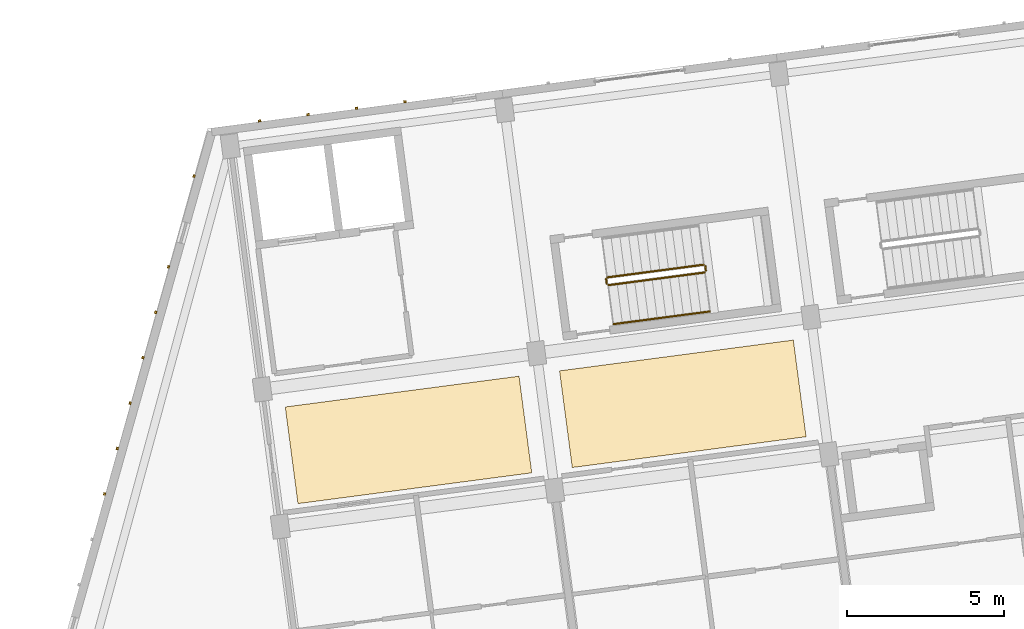
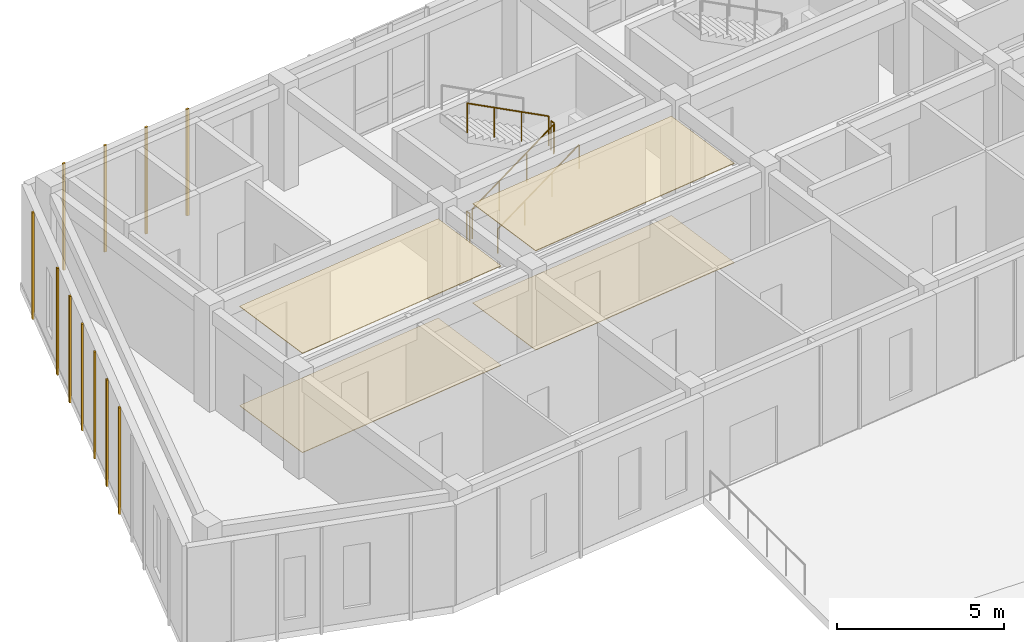
# One storey, part 124 of 150: 15 coverings, 5 railings.
"""IFC4 building model written with IfcOpenShell, lengths in metres."""

from ifc_helpers import new_model, si_unit, direction, frame, origin, origin_2d, place, context, subcontext, project, spatial, polyline, rectangle, circle, outline, extrude, material, layer, layer_set, type_object, element, save


model = new_model("IFC4")

# Units and contexts
model_context = context("Model", 3, precision=1e-05, world=origin(), true_north=direction((0.0, 1.0)))
body_context = subcontext(model_context, "Body", "Model", "MODEL_VIEW")
ifc_project = project(units=[si_unit("LENGTHUNIT", "METRE"), si_unit("AREAUNIT", "SQUARE_METRE"), si_unit("VOLUMEUNIT", "CUBIC_METRE"), si_unit("PLANEANGLEUNIT", "RADIAN"), si_unit("MASSUNIT", "GRAM", prefix="KILO")], contexts=[model_context])

# Site, building, storey
site_placement = place(None, origin())
site = spatial("IfcSite", under=ifc_project, at=site_placement, CompositionType="ELEMENT")
building_placement = place(site_placement, origin())
building = spatial("IfcBuilding", under=site, at=building_placement, Name="Kestramere Prow Commons", CompositionType="ELEMENT")
storey_placement = place(building_placement, frame((0.0, 0.0, 4.5)))
storey = spatial("IfcBuildingStorey", under=building, at=storey_placement, Name="L01", CompositionType="ELEMENT", Elevation=4.5)

# Coverings
ifc_material_1 = material(Name="Mineral Fibre Acoustic Ceiling Tile")
ifc_layer_1 = layer(ifc_material_1, 0.02490234375)
ifc_layer_set_1 = layer_set([ifc_layer_1], Name="Mineral Fibre Acoustic Ceiling Tile")
covering_type_1 = type_object("IfcCoveringType", Name="COV-CEIL-ACOUSTIC", PredefinedType="CEILING", material=ifc_layer_set_1)
covering_1_placement = place(storey_placement, frame((0.0, 0.0, 3.625)))
element("IfcCovering", 1, at=covering_1_placement, inside=storey, type_object=covering_type_1, Name="Block A L01 Corridor Acoustic Ceiling 1", PredefinedType="CEILING", context=body_context, shape_type="SweptSolid", body=[
    extrude(outline(polyline([(10.741455078125, 80.462646484375), (18.17724609375, 81.44140625), (17.772705078125, 84.514892578125), (10.3369140625, 83.5361328125), (10.741455078125, 80.462646484375)])), origin(), (0.0, 0.0, 1.0), 0.02490234375),
])
covering_2_placement = place(storey_placement, frame((0.0, 0.0, 3.625)))
element("IfcCovering", 2, at=covering_2_placement, inside=storey, type_object=covering_type_1, Name="Block A L01 Corridor Acoustic Ceiling 2", PredefinedType="CEILING", context=body_context, shape_type="SweptSolid", body=[
    extrude(outline(polyline([(19.46630859375, 81.611083984375), (26.902099609375, 82.590087890625), (26.497314453125, 85.66357421875), (19.0615234375, 84.6845703125), (19.46630859375, 81.611083984375)])), origin(), (0.0, 0.0, 1.0), 0.02490234375),
])
ifc_material_2 = material(Name="Weathered Zinc-Titanium Standing-Seam Cladding")
ifc_layer_2 = layer(ifc_material_2, 0.074951171875)
ifc_layer_set_2 = layer_set([ifc_layer_2], Name="Weathered Zinc-Titanium Standing-Seam Cladding")
covering_type_2 = type_object("IfcCoveringType", Name="COV-CLAD-SEAM", PredefinedType="CLADDING", material=ifc_layer_set_2)
for number, where, z_axis, x_axis, name in (
    (3, (9.521484375, 92.635009765625, -0.25), (0.0, 0.0, 1.0), (0.991444861374, 0.13052619222, 0.0), "EW-A-L01-N-0 Standing-Seam Rib 1"),
    (4, (11.062255859375, 92.837890625, -0.25), (0.0, 0.0, 1.0), (0.991444861374, 0.13052619222, 0.0), "EW-A-L01-N-0 Standing-Seam Rib 2"),
    (5, (12.603271484375, 93.040771484375, -0.25), (0.0, 0.0, 1.0), (0.991444861374, 0.13052619222, 0.0), "EW-A-L01-N-0 Standing-Seam Rib 3"),
    (6, (14.14404296875, 93.243408203125, -0.25), (0.0, 0.0, 1.0), (0.991444861374, 0.13052619222, 0.0), "EW-A-L01-N-0 Standing-Seam Rib 4"),
    (7, (4.5888671875, 80.7705078125, -0.25), (0.0, 0.0, 1.0), (0.271159911526, 0.962534312314, 0.0), "EW-A-L01-PRW-N Standing-Seam Rib 5"),
    (8, (4.995849609375, 82.21484375, -0.25), (0.0, 0.0, 1.0), (0.271159911526, 0.962534312314, 0.0), "EW-A-L01-PRW-N Standing-Seam Rib 6"),
    (9, (5.40283203125, 83.6591796875, -0.25), (0.0, 0.0, 1.0), (0.271159911526, 0.962534312314, 0.0), "EW-A-L01-PRW-N Standing-Seam Rib 7"),
    (10, (5.8095703125, 85.103271484375, -0.25), (0.0, 0.0, 1.0), (0.271159911526, 0.962534312314, 0.0), "EW-A-L01-PRW-N Standing-Seam Rib 8"),
    (11, (6.216552734375, 86.547607421875, -0.25), (0.0, 0.0, 1.0), (0.271159911526, 0.962534312314, 0.0), "EW-A-L01-PRW-N Standing-Seam Rib 9"),
    (12, (6.623291015625, 87.991943359375, -0.25), (0.0, 0.0, 1.0), (0.271159911526, 0.962534312314, 0.0), "EW-A-L01-PRW-N Standing-Seam Rib 10"),
    (13, (7.437255859375, 90.880615234375, -0.25), (0.0, 0.0, 1.0), (0.271159911526, 0.962534312314, 0.0), "EW-A-L01-PRW-N Standing-Seam Rib 12"),
):
    element("IfcCovering", number, at=place(storey_placement, frame(where, z_axis=z_axis, x_axis=x_axis)), inside=storey, type_object=covering_type_2, Name=name, PredefinedType="CLADDING", context=body_context, shape_type="SweptSolid", body=[
        extrude(rectangle(XDim=0.0849609375, YDim=0.06494140625, at=origin_2d()), origin(), (0.0, 0.0, 1.0), 3.89990234375),
    ])
ifc_material_3 = material(Name="Honed Cementitious Terrazzo Tile")
ifc_layer_3 = layer(ifc_material_3, 0.02001953125)
ifc_layer_set_3 = layer_set([ifc_layer_3], Name="Honed Cementitious Terrazzo Tile")
covering_type_3 = type_object("IfcCoveringType", Name="COV-FLOOR-TERRAZZO", PredefinedType="FLOORING", material=ifc_layer_set_3)
covering_3_placement = place(storey_placement, origin())
element("IfcCovering", 14, at=covering_3_placement, inside=storey, type_object=covering_type_3, Name="Block A L01 Corridor Terrazzo Flooring 1", PredefinedType="FLOORING", context=body_context, shape_type="SweptSolid", body=[
    extrude(outline(polyline([(10.741455078125, 80.462646484375), (18.17724609375, 81.44140625), (17.772705078125, 84.514892578125), (10.3369140625, 83.5361328125), (10.741455078125, 80.462646484375)])), origin(), (0.0, 0.0, 1.0), 0.02001953125),
])
covering_4_placement = place(storey_placement, origin())
element("IfcCovering", 15, at=covering_4_placement, inside=storey, type_object=covering_type_3, Name="Block A L01 Corridor Terrazzo Flooring 2", PredefinedType="FLOORING", context=body_context, shape_type="SweptSolid", body=[
    extrude(outline(polyline([(19.46630859375, 81.611083984375), (26.902099609375, 82.590087890625), (26.497314453125, 85.66357421875), (19.0615234375, 84.6845703125), (19.46630859375, 81.611083984375)])), origin(), (0.0, 0.0, 1.0), 0.02001953125),
])

# Railings
ifc_material_4 = material(Name="Galvanised Steel S275JR", Category="steel")
railing_type_1 = type_object("IfcRailingType", Name="RL-ST-GR-1100", PredefinedType="GUARDRAIL", material=ifc_material_4)
railing_1_placement = place(storey_placement, frame((20.618896484375, 87.411376953125, 0.16259765625)))
element("IfcRailing", 16, at=railing_1_placement, inside=storey, type_object=railing_type_1, Name="L01 ST-A1 stair guard 1", PredefinedType="GUARDRAIL", context=body_context, shape_type="SweptSolid", body=[
    extrude(circle(Radius=0.02392578125, at=origin_2d()), frame((0.0, 0.0, 1.076171875), z_axis=(0.857524495315, 0.112846603717, 0.501913721634), x_axis=(-0.130470916021, 0.991452137056, 0.0)), (0.0, 0.0, 1.0), 3.56103515625),
    extrude(circle(Radius=0.02099609375, at=origin_2d()), origin(), (0.0, 0.0, 1.0), 1.052001953125),
    extrude(circle(Radius=0.02099609375, at=origin_2d()), frame((1.017822265625, 0.134033203125, 0.595703125)), (0.0, 0.0, 1.0), 1.052001953125),
    extrude(circle(Radius=0.02099609375, at=origin_2d()), frame((2.035888671875, 0.267822265625, 1.191650390625)), (0.0, 0.0, 1.0), 1.052001953125),
    extrude(circle(Radius=0.02099609375, at=origin_2d()), frame((3.0537109375, 0.40185546875, 1.787353515625)), (0.0, 0.0, 1.0), 1.052001953125),
])
railing_2_placement = place(storey_placement, frame((23.7158203125, 87.869384765625, 1.949951171875)))
element("IfcRailing", 17, at=railing_2_placement, inside=storey, type_object=railing_type_1, Name="L01 ST-A1 stair guard 2", PredefinedType="GUARDRAIL", context=body_context, shape_type="SweptSolid", body=[
    extrude(circle(Radius=0.02392578125, at=origin_2d()), frame((0.0, 0.0, 1.076171875), z_axis=(-0.131843859112, 0.99127049629, 0.0), x_axis=(-0.99127049629, -0.131843859112, 0.0)), (0.0, 0.0, 1.0), 0.14990234375),
    extrude(circle(Radius=0.02099609375, at=origin_2d()), origin(), (0.0, 0.0, 1.0), 1.052001953125),
    extrude(circle(Radius=0.02099609375, at=origin_2d()), frame((-0.019775390625, 0.148681640625, 0.0)), (0.0, 0.0, 1.0), 1.052001953125),
])
railing_3_placement = place(storey_placement, frame((23.64013671875, 88.06103515625, 2.112548828125)))
element("IfcRailing", 18, at=railing_3_placement, inside=storey, type_object=railing_type_1, Name="L01 ST-A1 stair guard 3", PredefinedType="GUARDRAIL", context=body_context, shape_type="SweptSolid", body=[
    extrude(circle(Radius=0.02392578125, at=origin_2d()), frame((0.0, 0.0, 1.076171875), z_axis=(-0.857524495315, -0.112846603717, 0.501913721634), x_axis=(0.130470916021, -0.991452137056, 0.0)), (0.0, 0.0, 1.0), 3.56103515625),
    extrude(circle(Radius=0.02099609375, at=origin_2d()), origin(), (0.0, 0.0, 1.0), 1.052001953125),
    extrude(circle(Radius=0.02099609375, at=origin_2d()), frame((-1.017822265625, -0.134033203125, 0.595703125)), (0.0, 0.0, 1.0), 1.052001953125),
    extrude(circle(Radius=0.02099609375, at=origin_2d()), frame((-2.035888671875, -0.267822265625, 1.191650390625)), (0.0, 0.0, 1.0), 1.052001953125),
    extrude(circle(Radius=0.02099609375, at=origin_2d()), frame((-3.0537109375, -0.40185546875, 1.787353515625)), (0.0, 0.0, 1.0), 1.052001953125),
])
railing_4_placement = place(storey_placement, frame((20.56298828125, 87.454345703125, 0.0)))
element("IfcRailing", 19, at=railing_4_placement, inside=storey, type_object=railing_type_1, Name="L01 ST-A1 stair guard 4", PredefinedType="GUARDRAIL", context=body_context, shape_type="SweptSolid", body=[
    extrude(circle(Radius=0.02392578125, at=origin_2d()), frame((0.0, 0.0, 1.076171875), z_axis=(-0.131843859112, 0.99127049629, 0.0), x_axis=(-0.99127049629, -0.131843859112, 0.0)), (0.0, 0.0, 1.0), 0.14990234375),
    extrude(circle(Radius=0.02099609375, at=origin_2d()), origin(), (0.0, 0.0, 1.0), 1.052001953125),
    extrude(circle(Radius=0.02099609375, at=origin_2d()), frame((-0.019775390625, 0.148681640625, 0.0)), (0.0, 0.0, 1.0), 1.052001953125),
])
ifc_material_5 = material(Name="Stainless Steel 304", Category="steel")
railing_type_2 = type_object("IfcRailingType", Name="RL-ST-HR-900", PredefinedType="HANDRAIL", material=ifc_material_5)
railing_5_placement = place(storey_placement, frame((20.7822265625, 86.171875, 0.324951171875)))
element("IfcRailing", 20, at=railing_5_placement, inside=storey, type_object=railing_type_2, Name="L01 ST-A1 stair handrail 1", PredefinedType="HANDRAIL", context=body_context, shape_type="SweptSolid", body=[
    extrude(circle(Radius=0.02392578125, at=origin_2d()), frame((0.0, 0.0, 0.8759765625), z_axis=(0.857470202565, 0.112917040347, 0.501990631101), x_axis=(-0.130559091089, 0.9914405296, 0.0)), (0.0, 0.0, 1.0), 3.56103515625),
    extrude(circle(Radius=0.02099609375, at=origin_2d()), origin(), (0.0, 0.0, 1.0), 0.851806640625),
    extrude(circle(Radius=0.02099609375, at=origin_2d()), frame((1.017822265625, 0.134033203125, 0.595947265625)), (0.0, 0.0, 1.0), 0.851806640625),
    extrude(circle(Radius=0.02099609375, at=origin_2d()), frame((2.03564453125, 0.26806640625, 1.191650390625)), (0.0, 0.0, 1.0), 0.851806640625),
    extrude(circle(Radius=0.02099609375, at=origin_2d()), frame((3.053466796875, 0.402099609375, 1.78759765625)), (0.0, 0.0, 1.0), 0.851806640625),
])

save(model, "model.ifc")
